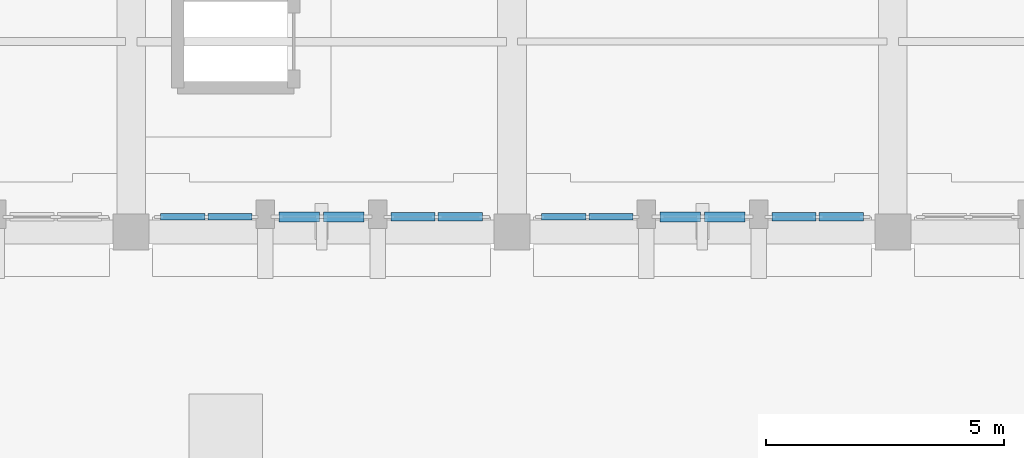
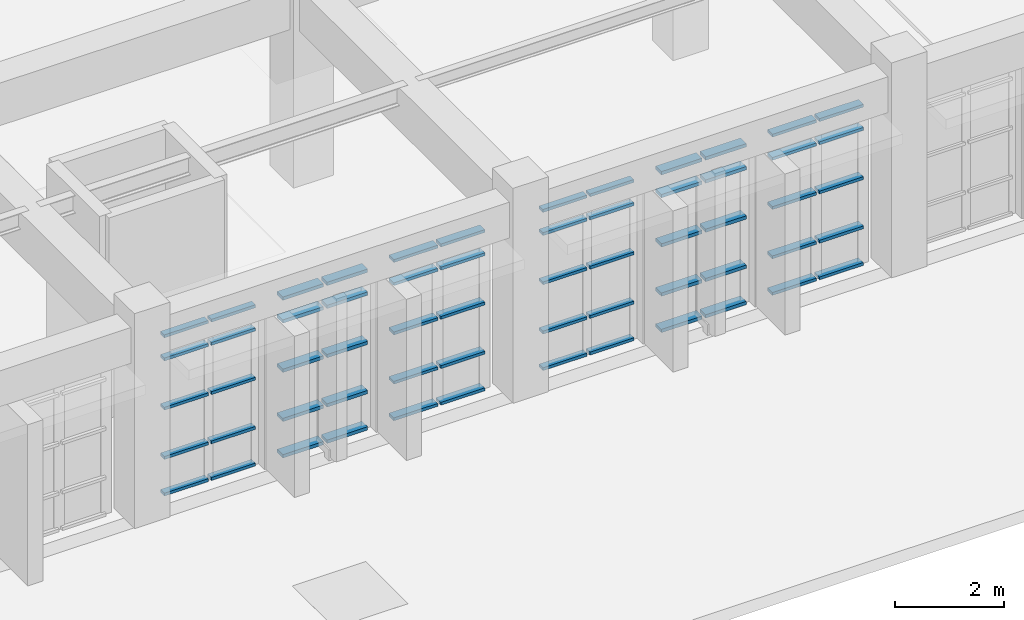
# One storey, part 48 of 155: 60 members, 6 elements without a shape of their own.
"""IFC4 building model written with IfcOpenShell, lengths in metres."""

from ifc_helpers import new_model, si_unit, direction, frame, origin, origin_2d, place, context, subcontext, project, spatial, rectangle, extrude, material, layer, layer_set, material_profile, profile_set, type_object, element, aggregate, save


model = new_model("IFC4")

# Units and contexts
model_context = context("Model", 3, precision=1e-05, world=origin(), true_north=direction((0.0, 1.0)))
body_context = subcontext(model_context, "Body", "Model", "MODEL_VIEW")
ifc_project = project(units=[si_unit("LENGTHUNIT", "METRE"), si_unit("AREAUNIT", "SQUARE_METRE"), si_unit("VOLUMEUNIT", "CUBIC_METRE"), si_unit("PLANEANGLEUNIT", "RADIAN"), si_unit("MASSUNIT", "GRAM", prefix="KILO")], contexts=[model_context])

# Site, building, storey
site_placement = place(None, origin())
site = spatial("IfcSite", under=ifc_project, at=site_placement, CompositionType="ELEMENT")
building_placement = place(site_placement, origin())
building = spatial("IfcBuilding", under=site, at=building_placement, Name="Tazarka Park Arena", CompositionType="ELEMENT")
storey_placement = place(building_placement, frame((0.0, 0.0, 5.39990234375)))
storey = spatial("IfcBuildingStorey", under=building, at=storey_placement, Name="L01", CompositionType="ELEMENT", Elevation=5.39990234375)

# Curtain wall, members
ifc_material_1 = material(Name="Aluminium and low-e glass", Category="aluminium")
ifc_layer_1 = layer(ifc_material_1, 0.179931640625, Name="Aluminium and low-e glass")
ifc_layer_set_1 = layer_set([ifc_layer_1], Name="Aluminium and low-e glass")
curtain_wall_type_1 = type_object("IfcCurtainWallType", Name="CW-18", PredefinedType="NOTDEFINED", material=ifc_layer_set_1)
curtain_wall_1_placement = place(storey_placement, origin())
curtain_wall_1 = element("IfcCurtainWall", 1, at=curtain_wall_1_placement, inside=storey, type_object=curtain_wall_type_1, Name="Curtain Wall CWA-L01-078", PredefinedType="NOTDEFINED")
ifc_material_2 = material(Name="Aluminium 6060-T66", Category="aluminium")
ifc_material_profile_1 = material_profile(ifc_material_2, rectangle(XDim=0.139892578125, YDim=0.06494140625, at=origin_2d()), Name="Aluminium 6060-T66")
ifc_profile_set_1 = profile_set([ifc_material_profile_1], Name="Aluminium 6060-T66")
member_type_1 = type_object("IfcMemberType", Name="CWT-01", PredefinedType="USERDEFINED", material=ifc_profile_set_1)
member_1_placement = place(storey_placement, frame((18.543212890625, 8.320068359375, 0.03271484375), z_axis=(-1.0, 0.0, 0.0), x_axis=(0.0, -1.0, 0.0)))
member_1 = element("IfcMember", 2, at=member_1_placement, type_object=member_type_1, Name="CW-18 transom 1.1", ObjectType="TRANSOM", PredefinedType="USERDEFINED", context=body_context, shape_type="SweptSolid", body=[
    extrude(rectangle(XDim=0.139892578125, YDim=0.06494140625, at=origin_2d()), origin(), (0.0, 0.0, 1.0), 0.928955078125),
])
member_2_placement = place(storey_placement, frame((18.543212890625, 8.320068359375, 0.85009765625), z_axis=(-1.0, 0.0, 0.0), x_axis=(0.0, -1.0, 0.0)))
member_2 = element("IfcMember", 3, at=member_2_placement, type_object=member_type_1, Name="CW-18 transom 1.2", ObjectType="TRANSOM", PredefinedType="USERDEFINED", context=body_context, shape_type="SweptSolid", body=[
    extrude(rectangle(XDim=0.139892578125, YDim=0.06494140625, at=origin_2d()), origin(), (0.0, 0.0, 1.0), 0.928955078125),
])
member_3_placement = place(storey_placement, frame((18.543212890625, 8.320068359375, 1.9501953125), z_axis=(-1.0, 0.0, 0.0), x_axis=(0.0, -1.0, 0.0)))
member_3 = element("IfcMember", 4, at=member_3_placement, type_object=member_type_1, Name="CW-18 transom 1.3", ObjectType="TRANSOM", PredefinedType="USERDEFINED", context=body_context, shape_type="SweptSolid", body=[
    extrude(rectangle(XDim=0.139892578125, YDim=0.06494140625, at=origin_2d()), origin(), (0.0, 0.0, 1.0), 0.928955078125),
])
member_4_placement = place(storey_placement, frame((18.543212890625, 8.320068359375, 3.050048828125), z_axis=(-1.0, 0.0, 0.0), x_axis=(0.0, -1.0, 0.0)))
member_4 = element("IfcMember", 5, at=member_4_placement, type_object=member_type_1, Name="CW-18 transom 1.4", ObjectType="TRANSOM", PredefinedType="USERDEFINED", context=body_context, shape_type="SweptSolid", body=[
    extrude(rectangle(XDim=0.139892578125, YDim=0.06494140625, at=origin_2d()), origin(), (0.0, 0.0, 1.0), 0.928955078125),
])
member_5_placement = place(storey_placement, frame((18.543212890625, 8.320068359375, 3.567626953125), z_axis=(-1.0, 0.0, 0.0), x_axis=(0.0, -1.0, 0.0)))
member_5 = element("IfcMember", 6, at=member_5_placement, type_object=member_type_1, Name="CW-18 transom 1.5", ObjectType="TRANSOM", PredefinedType="USERDEFINED", context=body_context, shape_type="SweptSolid", body=[
    extrude(rectangle(XDim=0.139892578125, YDim=0.06494140625, at=origin_2d()), origin(), (0.0, 0.0, 1.0), 0.928955078125),
])
member_6_placement = place(storey_placement, frame((17.549072265625, 8.320068359375, 0.03271484375), z_axis=(-1.0, 0.0, 0.0), x_axis=(0.0, -1.0, 0.0)))
member_6 = element("IfcMember", 7, at=member_6_placement, type_object=member_type_1, Name="CW-18 transom 2.1", ObjectType="TRANSOM", PredefinedType="USERDEFINED", context=body_context, shape_type="SweptSolid", body=[
    extrude(rectangle(XDim=0.139892578125, YDim=0.06494140625, at=origin_2d()), origin(), (0.0, 0.0, 1.0), 0.928955078125),
])
member_7_placement = place(storey_placement, frame((17.549072265625, 8.320068359375, 0.85009765625), z_axis=(-1.0, 0.0, 0.0), x_axis=(0.0, -1.0, 0.0)))
member_7 = element("IfcMember", 8, at=member_7_placement, type_object=member_type_1, Name="CW-18 transom 2.2", ObjectType="TRANSOM", PredefinedType="USERDEFINED", context=body_context, shape_type="SweptSolid", body=[
    extrude(rectangle(XDim=0.139892578125, YDim=0.06494140625, at=origin_2d()), origin(), (0.0, 0.0, 1.0), 0.928955078125),
])
member_8_placement = place(storey_placement, frame((17.549072265625, 8.320068359375, 1.9501953125), z_axis=(-1.0, 0.0, 0.0), x_axis=(0.0, -1.0, 0.0)))
member_8 = element("IfcMember", 9, at=member_8_placement, type_object=member_type_1, Name="CW-18 transom 2.3", ObjectType="TRANSOM", PredefinedType="USERDEFINED", context=body_context, shape_type="SweptSolid", body=[
    extrude(rectangle(XDim=0.139892578125, YDim=0.06494140625, at=origin_2d()), origin(), (0.0, 0.0, 1.0), 0.928955078125),
])
member_9_placement = place(storey_placement, frame((17.549072265625, 8.320068359375, 3.050048828125), z_axis=(-1.0, 0.0, 0.0), x_axis=(0.0, -1.0, 0.0)))
member_9 = element("IfcMember", 10, at=member_9_placement, type_object=member_type_1, Name="CW-18 transom 2.4", ObjectType="TRANSOM", PredefinedType="USERDEFINED", context=body_context, shape_type="SweptSolid", body=[
    extrude(rectangle(XDim=0.139892578125, YDim=0.06494140625, at=origin_2d()), origin(), (0.0, 0.0, 1.0), 0.928955078125),
])
member_10_placement = place(storey_placement, frame((17.549072265625, 8.320068359375, 3.567626953125), z_axis=(-1.0, 0.0, 0.0), x_axis=(0.0, -1.0, 0.0)))
member_10 = element("IfcMember", 11, at=member_10_placement, type_object=member_type_1, Name="CW-18 transom 2.5", ObjectType="TRANSOM", PredefinedType="USERDEFINED", context=body_context, shape_type="SweptSolid", body=[
    extrude(rectangle(XDim=0.139892578125, YDim=0.06494140625, at=origin_2d()), origin(), (0.0, 0.0, 1.0), 0.928955078125),
])
aggregate(curtain_wall_1, [member_1, member_2, member_3, member_4, member_5, member_6, member_7, member_8, member_9, member_10])

ifc_material_3 = material(Name="Aluminium and low-e glass", Category="aluminium")
ifc_layer_2 = layer(ifc_material_3, 0.179931640625, Name="Aluminium and low-e glass")
ifc_layer_set_2 = layer_set([ifc_layer_2], Name="Aluminium and low-e glass")
curtain_wall_type_2 = type_object("IfcCurtainWallType", Name="CW-21", PredefinedType="NOTDEFINED", material=ifc_layer_set_2)
curtain_wall_2_placement = place(storey_placement, origin())
curtain_wall_2 = element("IfcCurtainWall", 12, at=curtain_wall_2_placement, inside=storey, type_object=curtain_wall_type_2, Name="Curtain Wall CWA-L01-081", PredefinedType="NOTDEFINED")
member_11_placement = place(storey_placement, frame((26.543212890625, 8.320068359375, 0.03271484375), z_axis=(-1.0, 0.0, 0.0), x_axis=(0.0, -1.0, 0.0)))
member_11 = element("IfcMember", 13, at=member_11_placement, type_object=member_type_1, Name="CW-21 transom 1.1", ObjectType="TRANSOM", PredefinedType="USERDEFINED", context=body_context, shape_type="SweptSolid", body=[
    extrude(rectangle(XDim=0.139892578125, YDim=0.06494140625, at=origin_2d()), origin(), (0.0, 0.0, 1.0), 0.928955078125),
])
member_12_placement = place(storey_placement, frame((26.543212890625, 8.320068359375, 0.85009765625), z_axis=(-1.0, 0.0, 0.0), x_axis=(0.0, -1.0, 0.0)))
member_12 = element("IfcMember", 14, at=member_12_placement, type_object=member_type_1, Name="CW-21 transom 1.2", ObjectType="TRANSOM", PredefinedType="USERDEFINED", context=body_context, shape_type="SweptSolid", body=[
    extrude(rectangle(XDim=0.139892578125, YDim=0.06494140625, at=origin_2d()), origin(), (0.0, 0.0, 1.0), 0.928955078125),
])
member_13_placement = place(storey_placement, frame((26.543212890625, 8.320068359375, 1.9501953125), z_axis=(-1.0, 0.0, 0.0), x_axis=(0.0, -1.0, 0.0)))
member_13 = element("IfcMember", 15, at=member_13_placement, type_object=member_type_1, Name="CW-21 transom 1.3", ObjectType="TRANSOM", PredefinedType="USERDEFINED", context=body_context, shape_type="SweptSolid", body=[
    extrude(rectangle(XDim=0.139892578125, YDim=0.06494140625, at=origin_2d()), origin(), (0.0, 0.0, 1.0), 0.928955078125),
])
member_14_placement = place(storey_placement, frame((26.543212890625, 8.320068359375, 3.050048828125), z_axis=(-1.0, 0.0, 0.0), x_axis=(0.0, -1.0, 0.0)))
member_14 = element("IfcMember", 16, at=member_14_placement, type_object=member_type_1, Name="CW-21 transom 1.4", ObjectType="TRANSOM", PredefinedType="USERDEFINED", context=body_context, shape_type="SweptSolid", body=[
    extrude(rectangle(XDim=0.139892578125, YDim=0.06494140625, at=origin_2d()), origin(), (0.0, 0.0, 1.0), 0.928955078125),
])
member_15_placement = place(storey_placement, frame((26.543212890625, 8.320068359375, 3.567626953125), z_axis=(-1.0, 0.0, 0.0), x_axis=(0.0, -1.0, 0.0)))
member_15 = element("IfcMember", 17, at=member_15_placement, type_object=member_type_1, Name="CW-21 transom 1.5", ObjectType="TRANSOM", PredefinedType="USERDEFINED", context=body_context, shape_type="SweptSolid", body=[
    extrude(rectangle(XDim=0.139892578125, YDim=0.06494140625, at=origin_2d()), origin(), (0.0, 0.0, 1.0), 0.928955078125),
])
member_16_placement = place(storey_placement, frame((25.549072265625, 8.320068359375, 0.03271484375), z_axis=(-1.0, 0.0, 0.0), x_axis=(0.0, -1.0, 0.0)))
member_16 = element("IfcMember", 18, at=member_16_placement, type_object=member_type_1, Name="CW-21 transom 2.1", ObjectType="TRANSOM", PredefinedType="USERDEFINED", context=body_context, shape_type="SweptSolid", body=[
    extrude(rectangle(XDim=0.139892578125, YDim=0.06494140625, at=origin_2d()), origin(), (0.0, 0.0, 1.0), 0.928955078125),
])
member_17_placement = place(storey_placement, frame((25.549072265625, 8.320068359375, 0.85009765625), z_axis=(-1.0, 0.0, 0.0), x_axis=(0.0, -1.0, 0.0)))
member_17 = element("IfcMember", 19, at=member_17_placement, type_object=member_type_1, Name="CW-21 transom 2.2", ObjectType="TRANSOM", PredefinedType="USERDEFINED", context=body_context, shape_type="SweptSolid", body=[
    extrude(rectangle(XDim=0.139892578125, YDim=0.06494140625, at=origin_2d()), origin(), (0.0, 0.0, 1.0), 0.928955078125),
])
member_18_placement = place(storey_placement, frame((25.549072265625, 8.320068359375, 1.9501953125), z_axis=(-1.0, 0.0, 0.0), x_axis=(0.0, -1.0, 0.0)))
member_18 = element("IfcMember", 20, at=member_18_placement, type_object=member_type_1, Name="CW-21 transom 2.3", ObjectType="TRANSOM", PredefinedType="USERDEFINED", context=body_context, shape_type="SweptSolid", body=[
    extrude(rectangle(XDim=0.139892578125, YDim=0.06494140625, at=origin_2d()), origin(), (0.0, 0.0, 1.0), 0.928955078125),
])
member_19_placement = place(storey_placement, frame((25.549072265625, 8.320068359375, 3.050048828125), z_axis=(-1.0, 0.0, 0.0), x_axis=(0.0, -1.0, 0.0)))
member_19 = element("IfcMember", 21, at=member_19_placement, type_object=member_type_1, Name="CW-21 transom 2.4", ObjectType="TRANSOM", PredefinedType="USERDEFINED", context=body_context, shape_type="SweptSolid", body=[
    extrude(rectangle(XDim=0.139892578125, YDim=0.06494140625, at=origin_2d()), origin(), (0.0, 0.0, 1.0), 0.928955078125),
])
member_20_placement = place(storey_placement, frame((25.549072265625, 8.320068359375, 3.567626953125), z_axis=(-1.0, 0.0, 0.0), x_axis=(0.0, -1.0, 0.0)))
member_20 = element("IfcMember", 22, at=member_20_placement, type_object=member_type_1, Name="CW-21 transom 2.5", ObjectType="TRANSOM", PredefinedType="USERDEFINED", context=body_context, shape_type="SweptSolid", body=[
    extrude(rectangle(XDim=0.139892578125, YDim=0.06494140625, at=origin_2d()), origin(), (0.0, 0.0, 1.0), 0.928955078125),
])
aggregate(curtain_wall_2, [member_11, member_12, member_13, member_14, member_15, member_16, member_17, member_18, member_19, member_20])

ifc_material_4 = material(Name="Aluminium and low-e glass", Category="aluminium")
ifc_layer_3 = layer(ifc_material_4, 0.179931640625, Name="Aluminium and low-e glass")
ifc_layer_set_3 = layer_set([ifc_layer_3], Name="Aluminium and low-e glass")
curtain_wall_type_3 = type_object("IfcCurtainWallType", Name="CW-16", PredefinedType="NOTDEFINED", material=ifc_layer_set_3)
curtain_wall_3_placement = place(storey_placement, origin())
curtain_wall_3 = element("IfcCurtainWall", 23, at=curtain_wall_3_placement, inside=storey, type_object=curtain_wall_type_3, Name="Curtain Wall CWA-L01-076", PredefinedType="NOTDEFINED")
ifc_material_5 = material(Name="Aluminium 6060-T66", Category="aluminium")
ifc_material_profile_2 = material_profile(ifc_material_5, rectangle(XDim=0.179931640625, YDim=0.06494140625, at=origin_2d()), Name="Aluminium 6060-T66")
ifc_profile_set_2 = profile_set([ifc_material_profile_2], Name="Aluminium 6060-T66")
member_type_2 = type_object("IfcMemberType", Name="CWT-02", PredefinedType="USERDEFINED", material=ifc_profile_set_2)
member_21_placement = place(storey_placement, frame((23.3798828125, 8.320068359375, 0.03271484375), z_axis=(-1.0, 0.0, 0.0), x_axis=(0.0, -1.0, 0.0)))
member_21 = element("IfcMember", 24, at=member_21_placement, type_object=member_type_2, Name="CW-16 transom 1.1", ObjectType="TRANSOM", PredefinedType="USERDEFINED", context=body_context, shape_type="SweptSolid", body=[
    extrude(rectangle(XDim=0.179931640625, YDim=0.06494140625, at=origin_2d()), origin(), (0.0, 0.0, 1.0), 0.928955078125),
])
member_22_placement = place(storey_placement, frame((23.3798828125, 8.320068359375, 0.85009765625), z_axis=(-1.0, 0.0, 0.0), x_axis=(0.0, -1.0, 0.0)))
member_22 = element("IfcMember", 25, at=member_22_placement, type_object=member_type_2, Name="CW-16 transom 1.2", ObjectType="TRANSOM", PredefinedType="USERDEFINED", context=body_context, shape_type="SweptSolid", body=[
    extrude(rectangle(XDim=0.179931640625, YDim=0.06494140625, at=origin_2d()), origin(), (0.0, 0.0, 1.0), 0.928955078125),
])
member_23_placement = place(storey_placement, frame((23.3798828125, 8.320068359375, 1.9501953125), z_axis=(-1.0, 0.0, 0.0), x_axis=(0.0, -1.0, 0.0)))
member_23 = element("IfcMember", 26, at=member_23_placement, type_object=member_type_2, Name="CW-16 transom 1.3", ObjectType="TRANSOM", PredefinedType="USERDEFINED", context=body_context, shape_type="SweptSolid", body=[
    extrude(rectangle(XDim=0.179931640625, YDim=0.06494140625, at=origin_2d()), origin(), (0.0, 0.0, 1.0), 0.928955078125),
])
member_24_placement = place(storey_placement, frame((23.3798828125, 8.320068359375, 3.050048828125), z_axis=(-1.0, 0.0, 0.0), x_axis=(0.0, -1.0, 0.0)))
member_24 = element("IfcMember", 27, at=member_24_placement, type_object=member_type_2, Name="CW-16 transom 1.4", ObjectType="TRANSOM", PredefinedType="USERDEFINED", context=body_context, shape_type="SweptSolid", body=[
    extrude(rectangle(XDim=0.179931640625, YDim=0.06494140625, at=origin_2d()), origin(), (0.0, 0.0, 1.0), 0.928955078125),
])
member_25_placement = place(storey_placement, frame((23.3798828125, 8.320068359375, 3.567626953125), z_axis=(-1.0, 0.0, 0.0), x_axis=(0.0, -1.0, 0.0)))
member_25 = element("IfcMember", 28, at=member_25_placement, type_object=member_type_2, Name="CW-16 transom 1.5", ObjectType="TRANSOM", PredefinedType="USERDEFINED", context=body_context, shape_type="SweptSolid", body=[
    extrude(rectangle(XDim=0.179931640625, YDim=0.06494140625, at=origin_2d()), origin(), (0.0, 0.0, 1.0), 0.928955078125),
])
member_26_placement = place(storey_placement, frame((22.3857421875, 8.320068359375, 0.03271484375), z_axis=(-1.0, 0.0, 0.0), x_axis=(0.0, -1.0, 0.0)))
member_26 = element("IfcMember", 29, at=member_26_placement, type_object=member_type_2, Name="CW-16 transom 2.1", ObjectType="TRANSOM", PredefinedType="USERDEFINED", context=body_context, shape_type="SweptSolid", body=[
    extrude(rectangle(XDim=0.179931640625, YDim=0.06494140625, at=origin_2d()), origin(), (0.0, 0.0, 1.0), 0.928955078125),
])
member_27_placement = place(storey_placement, frame((22.3857421875, 8.320068359375, 0.85009765625), z_axis=(-1.0, 0.0, 0.0), x_axis=(0.0, -1.0, 0.0)))
member_27 = element("IfcMember", 30, at=member_27_placement, type_object=member_type_2, Name="CW-16 transom 2.2", ObjectType="TRANSOM", PredefinedType="USERDEFINED", context=body_context, shape_type="SweptSolid", body=[
    extrude(rectangle(XDim=0.179931640625, YDim=0.06494140625, at=origin_2d()), origin(), (0.0, 0.0, 1.0), 0.928955078125),
])
member_28_placement = place(storey_placement, frame((22.3857421875, 8.320068359375, 1.9501953125), z_axis=(-1.0, 0.0, 0.0), x_axis=(0.0, -1.0, 0.0)))
member_28 = element("IfcMember", 31, at=member_28_placement, type_object=member_type_2, Name="CW-16 transom 2.3", ObjectType="TRANSOM", PredefinedType="USERDEFINED", context=body_context, shape_type="SweptSolid", body=[
    extrude(rectangle(XDim=0.179931640625, YDim=0.06494140625, at=origin_2d()), origin(), (0.0, 0.0, 1.0), 0.928955078125),
])
member_29_placement = place(storey_placement, frame((22.3857421875, 8.320068359375, 3.050048828125), z_axis=(-1.0, 0.0, 0.0), x_axis=(0.0, -1.0, 0.0)))
member_29 = element("IfcMember", 32, at=member_29_placement, type_object=member_type_2, Name="CW-16 transom 2.4", ObjectType="TRANSOM", PredefinedType="USERDEFINED", context=body_context, shape_type="SweptSolid", body=[
    extrude(rectangle(XDim=0.179931640625, YDim=0.06494140625, at=origin_2d()), origin(), (0.0, 0.0, 1.0), 0.928955078125),
])
member_30_placement = place(storey_placement, frame((22.3857421875, 8.320068359375, 3.567626953125), z_axis=(-1.0, 0.0, 0.0), x_axis=(0.0, -1.0, 0.0)))
member_30 = element("IfcMember", 33, at=member_30_placement, type_object=member_type_2, Name="CW-16 transom 2.5", ObjectType="TRANSOM", PredefinedType="USERDEFINED", context=body_context, shape_type="SweptSolid", body=[
    extrude(rectangle(XDim=0.179931640625, YDim=0.06494140625, at=origin_2d()), origin(), (0.0, 0.0, 1.0), 0.928955078125),
])
aggregate(curtain_wall_3, [member_21, member_22, member_23, member_24, member_25, member_26, member_27, member_28, member_29, member_30])

ifc_material_6 = material(Name="Aluminium and low-e glass", Category="aluminium")
ifc_layer_4 = layer(ifc_material_6, 0.179931640625, Name="Aluminium and low-e glass")
ifc_layer_set_4 = layer_set([ifc_layer_4], Name="Aluminium and low-e glass")
curtain_wall_type_4 = type_object("IfcCurtainWallType", Name="CW-19", PredefinedType="NOTDEFINED", material=ifc_layer_set_4)
curtain_wall_4_placement = place(storey_placement, origin())
curtain_wall_4 = element("IfcCurtainWall", 34, at=curtain_wall_4_placement, inside=storey, type_object=curtain_wall_type_4, Name="Curtain Wall CWA-L01-079", PredefinedType="NOTDEFINED")
member_31_placement = place(storey_placement, frame((31.3798828125, 8.320068359375, 0.03271484375), z_axis=(-1.0, 0.0, 0.0), x_axis=(0.0, -1.0, 0.0)))
member_31 = element("IfcMember", 35, at=member_31_placement, type_object=member_type_2, Name="CW-19 transom 1.1", ObjectType="TRANSOM", PredefinedType="USERDEFINED", context=body_context, shape_type="SweptSolid", body=[
    extrude(rectangle(XDim=0.179931640625, YDim=0.06494140625, at=origin_2d()), origin(), (0.0, 0.0, 1.0), 0.928955078125),
])
member_32_placement = place(storey_placement, frame((31.3798828125, 8.320068359375, 0.85009765625), z_axis=(-1.0, 0.0, 0.0), x_axis=(0.0, -1.0, 0.0)))
member_32 = element("IfcMember", 36, at=member_32_placement, type_object=member_type_2, Name="CW-19 transom 1.2", ObjectType="TRANSOM", PredefinedType="USERDEFINED", context=body_context, shape_type="SweptSolid", body=[
    extrude(rectangle(XDim=0.179931640625, YDim=0.06494140625, at=origin_2d()), origin(), (0.0, 0.0, 1.0), 0.928955078125),
])
member_33_placement = place(storey_placement, frame((31.3798828125, 8.320068359375, 1.9501953125), z_axis=(-1.0, 0.0, 0.0), x_axis=(0.0, -1.0, 0.0)))
member_33 = element("IfcMember", 37, at=member_33_placement, type_object=member_type_2, Name="CW-19 transom 1.3", ObjectType="TRANSOM", PredefinedType="USERDEFINED", context=body_context, shape_type="SweptSolid", body=[
    extrude(rectangle(XDim=0.179931640625, YDim=0.06494140625, at=origin_2d()), origin(), (0.0, 0.0, 1.0), 0.928955078125),
])
member_34_placement = place(storey_placement, frame((31.3798828125, 8.320068359375, 3.050048828125), z_axis=(-1.0, 0.0, 0.0), x_axis=(0.0, -1.0, 0.0)))
member_34 = element("IfcMember", 38, at=member_34_placement, type_object=member_type_2, Name="CW-19 transom 1.4", ObjectType="TRANSOM", PredefinedType="USERDEFINED", context=body_context, shape_type="SweptSolid", body=[
    extrude(rectangle(XDim=0.179931640625, YDim=0.06494140625, at=origin_2d()), origin(), (0.0, 0.0, 1.0), 0.928955078125),
])
member_35_placement = place(storey_placement, frame((31.3798828125, 8.320068359375, 3.567626953125), z_axis=(-1.0, 0.0, 0.0), x_axis=(0.0, -1.0, 0.0)))
member_35 = element("IfcMember", 39, at=member_35_placement, type_object=member_type_2, Name="CW-19 transom 1.5", ObjectType="TRANSOM", PredefinedType="USERDEFINED", context=body_context, shape_type="SweptSolid", body=[
    extrude(rectangle(XDim=0.179931640625, YDim=0.06494140625, at=origin_2d()), origin(), (0.0, 0.0, 1.0), 0.928955078125),
])
member_36_placement = place(storey_placement, frame((30.3857421875, 8.320068359375, 0.03271484375), z_axis=(-1.0, 0.0, 0.0), x_axis=(0.0, -1.0, 0.0)))
member_36 = element("IfcMember", 40, at=member_36_placement, type_object=member_type_2, Name="CW-19 transom 2.1", ObjectType="TRANSOM", PredefinedType="USERDEFINED", context=body_context, shape_type="SweptSolid", body=[
    extrude(rectangle(XDim=0.179931640625, YDim=0.06494140625, at=origin_2d()), origin(), (0.0, 0.0, 1.0), 0.928955078125),
])
member_37_placement = place(storey_placement, frame((30.3857421875, 8.320068359375, 0.85009765625), z_axis=(-1.0, 0.0, 0.0), x_axis=(0.0, -1.0, 0.0)))
member_37 = element("IfcMember", 41, at=member_37_placement, type_object=member_type_2, Name="CW-19 transom 2.2", ObjectType="TRANSOM", PredefinedType="USERDEFINED", context=body_context, shape_type="SweptSolid", body=[
    extrude(rectangle(XDim=0.179931640625, YDim=0.06494140625, at=origin_2d()), origin(), (0.0, 0.0, 1.0), 0.928955078125),
])
member_38_placement = place(storey_placement, frame((30.3857421875, 8.320068359375, 1.9501953125), z_axis=(-1.0, 0.0, 0.0), x_axis=(0.0, -1.0, 0.0)))
member_38 = element("IfcMember", 42, at=member_38_placement, type_object=member_type_2, Name="CW-19 transom 2.3", ObjectType="TRANSOM", PredefinedType="USERDEFINED", context=body_context, shape_type="SweptSolid", body=[
    extrude(rectangle(XDim=0.179931640625, YDim=0.06494140625, at=origin_2d()), origin(), (0.0, 0.0, 1.0), 0.928955078125),
])
member_39_placement = place(storey_placement, frame((30.3857421875, 8.320068359375, 3.050048828125), z_axis=(-1.0, 0.0, 0.0), x_axis=(0.0, -1.0, 0.0)))
member_39 = element("IfcMember", 43, at=member_39_placement, type_object=member_type_2, Name="CW-19 transom 2.4", ObjectType="TRANSOM", PredefinedType="USERDEFINED", context=body_context, shape_type="SweptSolid", body=[
    extrude(rectangle(XDim=0.179931640625, YDim=0.06494140625, at=origin_2d()), origin(), (0.0, 0.0, 1.0), 0.928955078125),
])
member_40_placement = place(storey_placement, frame((30.3857421875, 8.320068359375, 3.567626953125), z_axis=(-1.0, 0.0, 0.0), x_axis=(0.0, -1.0, 0.0)))
member_40 = element("IfcMember", 44, at=member_40_placement, type_object=member_type_2, Name="CW-19 transom 2.5", ObjectType="TRANSOM", PredefinedType="USERDEFINED", context=body_context, shape_type="SweptSolid", body=[
    extrude(rectangle(XDim=0.179931640625, YDim=0.06494140625, at=origin_2d()), origin(), (0.0, 0.0, 1.0), 0.928955078125),
])
aggregate(curtain_wall_4, [member_31, member_32, member_33, member_34, member_35, member_36, member_37, member_38, member_39, member_40])

ifc_material_7 = material(Name="Aluminium and low-e glass", Category="aluminium")
ifc_layer_5 = layer(ifc_material_7, 0.179931640625, Name="Aluminium and low-e glass")
ifc_layer_set_5 = layer_set([ifc_layer_5], Name="Aluminium and low-e glass")
curtain_wall_type_5 = type_object("IfcCurtainWallType", Name="CW-17", PredefinedType="NOTDEFINED", material=ifc_layer_set_5)
curtain_wall_5_placement = place(storey_placement, origin())
curtain_wall_5 = element("IfcCurtainWall", 45, at=curtain_wall_5_placement, inside=storey, type_object=curtain_wall_type_5, Name="Curtain Wall CWA-L01-077", PredefinedType="NOTDEFINED")
ifc_material_8 = material(Name="Aluminium 6060-T66", Category="aluminium")
ifc_material_profile_3 = material_profile(ifc_material_8, rectangle(XDim=0.2099609375, YDim=0.074951171875, at=origin_2d()), Name="Aluminium 6060-T66")
ifc_profile_set_3 = profile_set([ifc_material_profile_3], Name="Aluminium 6060-T66")
member_type_3 = type_object("IfcMemberType", Name="CWT-03", PredefinedType="USERDEFINED", material=ifc_profile_set_3)
member_41_placement = place(storey_placement, frame((20.896728515625, 8.320068359375, 0.03759765625), z_axis=(-1.0, 0.0, 0.0), x_axis=(0.0, -1.0, 0.0)))
member_41 = element("IfcMember", 46, at=member_41_placement, type_object=member_type_3, Name="CW-17 transom 1.1", ObjectType="TRANSOM", PredefinedType="USERDEFINED", context=body_context, shape_type="SweptSolid", body=[
    extrude(rectangle(XDim=0.2099609375, YDim=0.074951171875, at=origin_2d()), origin(), (0.0, 0.0, 1.0), 0.859130859375),
])
member_42_placement = place(storey_placement, frame((20.896728515625, 8.320068359375, 0.85009765625), z_axis=(-1.0, 0.0, 0.0), x_axis=(0.0, -1.0, 0.0)))
member_42 = element("IfcMember", 47, at=member_42_placement, type_object=member_type_3, Name="CW-17 transom 1.2", ObjectType="TRANSOM", PredefinedType="USERDEFINED", context=body_context, shape_type="SweptSolid", body=[
    extrude(rectangle(XDim=0.2099609375, YDim=0.074951171875, at=origin_2d()), origin(), (0.0, 0.0, 1.0), 0.859130859375),
])
member_43_placement = place(storey_placement, frame((20.896728515625, 8.320068359375, 1.9501953125), z_axis=(-1.0, 0.0, 0.0), x_axis=(0.0, -1.0, 0.0)))
member_43 = element("IfcMember", 48, at=member_43_placement, type_object=member_type_3, Name="CW-17 transom 1.3", ObjectType="TRANSOM", PredefinedType="USERDEFINED", context=body_context, shape_type="SweptSolid", body=[
    extrude(rectangle(XDim=0.2099609375, YDim=0.074951171875, at=origin_2d()), origin(), (0.0, 0.0, 1.0), 0.859130859375),
])
member_44_placement = place(storey_placement, frame((20.896728515625, 8.320068359375, 3.050048828125), z_axis=(-1.0, 0.0, 0.0), x_axis=(0.0, -1.0, 0.0)))
member_44 = element("IfcMember", 49, at=member_44_placement, type_object=member_type_3, Name="CW-17 transom 1.4", ObjectType="TRANSOM", PredefinedType="USERDEFINED", context=body_context, shape_type="SweptSolid", body=[
    extrude(rectangle(XDim=0.2099609375, YDim=0.074951171875, at=origin_2d()), origin(), (0.0, 0.0, 1.0), 0.859130859375),
])
member_45_placement = place(storey_placement, frame((20.896728515625, 8.320068359375, 3.5625), z_axis=(-1.0, 0.0, 0.0), x_axis=(0.0, -1.0, 0.0)))
member_45 = element("IfcMember", 50, at=member_45_placement, type_object=member_type_3, Name="CW-17 transom 1.5", ObjectType="TRANSOM", PredefinedType="USERDEFINED", context=body_context, shape_type="SweptSolid", body=[
    extrude(rectangle(XDim=0.2099609375, YDim=0.074951171875, at=origin_2d()), origin(), (0.0, 0.0, 1.0), 0.859130859375),
])
member_46_placement = place(storey_placement, frame((19.96240234375, 8.320068359375, 0.03759765625), z_axis=(-1.0, 0.0, 0.0), x_axis=(0.0, -1.0, 0.0)))
member_46 = element("IfcMember", 51, at=member_46_placement, type_object=member_type_3, Name="CW-17 transom 2.1", ObjectType="TRANSOM", PredefinedType="USERDEFINED", context=body_context, shape_type="SweptSolid", body=[
    extrude(rectangle(XDim=0.2099609375, YDim=0.074951171875, at=origin_2d()), origin(), (0.0, 0.0, 1.0), 0.859130859375),
])
member_47_placement = place(storey_placement, frame((19.96240234375, 8.320068359375, 0.85009765625), z_axis=(-1.0, 0.0, 0.0), x_axis=(0.0, -1.0, 0.0)))
member_47 = element("IfcMember", 52, at=member_47_placement, type_object=member_type_3, Name="CW-17 transom 2.2", ObjectType="TRANSOM", PredefinedType="USERDEFINED", context=body_context, shape_type="SweptSolid", body=[
    extrude(rectangle(XDim=0.2099609375, YDim=0.074951171875, at=origin_2d()), origin(), (0.0, 0.0, 1.0), 0.859130859375),
])
member_48_placement = place(storey_placement, frame((19.96240234375, 8.320068359375, 1.9501953125), z_axis=(-1.0, 0.0, 0.0), x_axis=(0.0, -1.0, 0.0)))
member_48 = element("IfcMember", 53, at=member_48_placement, type_object=member_type_3, Name="CW-17 transom 2.3", ObjectType="TRANSOM", PredefinedType="USERDEFINED", context=body_context, shape_type="SweptSolid", body=[
    extrude(rectangle(XDim=0.2099609375, YDim=0.074951171875, at=origin_2d()), origin(), (0.0, 0.0, 1.0), 0.859130859375),
])
member_49_placement = place(storey_placement, frame((19.96240234375, 8.320068359375, 3.050048828125), z_axis=(-1.0, 0.0, 0.0), x_axis=(0.0, -1.0, 0.0)))
member_49 = element("IfcMember", 54, at=member_49_placement, type_object=member_type_3, Name="CW-17 transom 2.4", ObjectType="TRANSOM", PredefinedType="USERDEFINED", context=body_context, shape_type="SweptSolid", body=[
    extrude(rectangle(XDim=0.2099609375, YDim=0.074951171875, at=origin_2d()), origin(), (0.0, 0.0, 1.0), 0.859130859375),
])
member_50_placement = place(storey_placement, frame((19.96240234375, 8.320068359375, 3.5625), z_axis=(-1.0, 0.0, 0.0), x_axis=(0.0, -1.0, 0.0)))
member_50 = element("IfcMember", 55, at=member_50_placement, type_object=member_type_3, Name="CW-17 transom 2.5", ObjectType="TRANSOM", PredefinedType="USERDEFINED", context=body_context, shape_type="SweptSolid", body=[
    extrude(rectangle(XDim=0.2099609375, YDim=0.074951171875, at=origin_2d()), origin(), (0.0, 0.0, 1.0), 0.859130859375),
])
aggregate(curtain_wall_5, [member_41, member_42, member_43, member_44, member_45, member_46, member_47, member_48, member_49, member_50])

ifc_material_9 = material(Name="Aluminium and low-e glass", Category="aluminium")
ifc_layer_6 = layer(ifc_material_9, 0.179931640625, Name="Aluminium and low-e glass")
ifc_layer_set_6 = layer_set([ifc_layer_6], Name="Aluminium and low-e glass")
curtain_wall_type_6 = type_object("IfcCurtainWallType", Name="CW-20", PredefinedType="NOTDEFINED", material=ifc_layer_set_6)
curtain_wall_6_placement = place(storey_placement, origin())
curtain_wall_6 = element("IfcCurtainWall", 56, at=curtain_wall_6_placement, inside=storey, type_object=curtain_wall_type_6, Name="Curtain Wall CWA-L01-080", PredefinedType="NOTDEFINED")
member_51_placement = place(storey_placement, frame((28.896728515625, 8.320068359375, 0.03759765625), z_axis=(-1.0, 0.0, 0.0), x_axis=(0.0, -1.0, 0.0)))
member_51 = element("IfcMember", 57, at=member_51_placement, type_object=member_type_3, Name="CW-20 transom 1.1", ObjectType="TRANSOM", PredefinedType="USERDEFINED", context=body_context, shape_type="SweptSolid", body=[
    extrude(rectangle(XDim=0.2099609375, YDim=0.074951171875, at=origin_2d()), origin(), (0.0, 0.0, 1.0), 0.859130859375),
])
member_52_placement = place(storey_placement, frame((28.896728515625, 8.320068359375, 0.85009765625), z_axis=(-1.0, 0.0, 0.0), x_axis=(0.0, -1.0, 0.0)))
member_52 = element("IfcMember", 58, at=member_52_placement, type_object=member_type_3, Name="CW-20 transom 1.2", ObjectType="TRANSOM", PredefinedType="USERDEFINED", context=body_context, shape_type="SweptSolid", body=[
    extrude(rectangle(XDim=0.2099609375, YDim=0.074951171875, at=origin_2d()), origin(), (0.0, 0.0, 1.0), 0.859130859375),
])
member_53_placement = place(storey_placement, frame((28.896728515625, 8.320068359375, 1.9501953125), z_axis=(-1.0, 0.0, 0.0), x_axis=(0.0, -1.0, 0.0)))
member_53 = element("IfcMember", 59, at=member_53_placement, type_object=member_type_3, Name="CW-20 transom 1.3", ObjectType="TRANSOM", PredefinedType="USERDEFINED", context=body_context, shape_type="SweptSolid", body=[
    extrude(rectangle(XDim=0.2099609375, YDim=0.074951171875, at=origin_2d()), origin(), (0.0, 0.0, 1.0), 0.859130859375),
])
member_54_placement = place(storey_placement, frame((28.896728515625, 8.320068359375, 3.050048828125), z_axis=(-1.0, 0.0, 0.0), x_axis=(0.0, -1.0, 0.0)))
member_54 = element("IfcMember", 60, at=member_54_placement, type_object=member_type_3, Name="CW-20 transom 1.4", ObjectType="TRANSOM", PredefinedType="USERDEFINED", context=body_context, shape_type="SweptSolid", body=[
    extrude(rectangle(XDim=0.2099609375, YDim=0.074951171875, at=origin_2d()), origin(), (0.0, 0.0, 1.0), 0.859130859375),
])
member_55_placement = place(storey_placement, frame((28.896728515625, 8.320068359375, 3.5625), z_axis=(-1.0, 0.0, 0.0), x_axis=(0.0, -1.0, 0.0)))
member_55 = element("IfcMember", 61, at=member_55_placement, type_object=member_type_3, Name="CW-20 transom 1.5", ObjectType="TRANSOM", PredefinedType="USERDEFINED", context=body_context, shape_type="SweptSolid", body=[
    extrude(rectangle(XDim=0.2099609375, YDim=0.074951171875, at=origin_2d()), origin(), (0.0, 0.0, 1.0), 0.859130859375),
])
member_56_placement = place(storey_placement, frame((27.96240234375, 8.320068359375, 0.03759765625), z_axis=(-1.0, 0.0, 0.0), x_axis=(0.0, -1.0, 0.0)))
member_56 = element("IfcMember", 62, at=member_56_placement, type_object=member_type_3, Name="CW-20 transom 2.1", ObjectType="TRANSOM", PredefinedType="USERDEFINED", context=body_context, shape_type="SweptSolid", body=[
    extrude(rectangle(XDim=0.2099609375, YDim=0.074951171875, at=origin_2d()), origin(), (0.0, 0.0, 1.0), 0.859130859375),
])
member_57_placement = place(storey_placement, frame((27.96240234375, 8.320068359375, 0.85009765625), z_axis=(-1.0, 0.0, 0.0), x_axis=(0.0, -1.0, 0.0)))
member_57 = element("IfcMember", 63, at=member_57_placement, type_object=member_type_3, Name="CW-20 transom 2.2", ObjectType="TRANSOM", PredefinedType="USERDEFINED", context=body_context, shape_type="SweptSolid", body=[
    extrude(rectangle(XDim=0.2099609375, YDim=0.074951171875, at=origin_2d()), origin(), (0.0, 0.0, 1.0), 0.859130859375),
])
member_58_placement = place(storey_placement, frame((27.96240234375, 8.320068359375, 1.9501953125), z_axis=(-1.0, 0.0, 0.0), x_axis=(0.0, -1.0, 0.0)))
member_58 = element("IfcMember", 64, at=member_58_placement, type_object=member_type_3, Name="CW-20 transom 2.3", ObjectType="TRANSOM", PredefinedType="USERDEFINED", context=body_context, shape_type="SweptSolid", body=[
    extrude(rectangle(XDim=0.2099609375, YDim=0.074951171875, at=origin_2d()), origin(), (0.0, 0.0, 1.0), 0.859130859375),
])
member_59_placement = place(storey_placement, frame((27.96240234375, 8.320068359375, 3.050048828125), z_axis=(-1.0, 0.0, 0.0), x_axis=(0.0, -1.0, 0.0)))
member_59 = element("IfcMember", 65, at=member_59_placement, type_object=member_type_3, Name="CW-20 transom 2.4", ObjectType="TRANSOM", PredefinedType="USERDEFINED", context=body_context, shape_type="SweptSolid", body=[
    extrude(rectangle(XDim=0.2099609375, YDim=0.074951171875, at=origin_2d()), origin(), (0.0, 0.0, 1.0), 0.859130859375),
])
member_60_placement = place(storey_placement, frame((27.96240234375, 8.320068359375, 3.5625), z_axis=(-1.0, 0.0, 0.0), x_axis=(0.0, -1.0, 0.0)))
member_60 = element("IfcMember", 66, at=member_60_placement, type_object=member_type_3, Name="CW-20 transom 2.5", ObjectType="TRANSOM", PredefinedType="USERDEFINED", context=body_context, shape_type="SweptSolid", body=[
    extrude(rectangle(XDim=0.2099609375, YDim=0.074951171875, at=origin_2d()), origin(), (0.0, 0.0, 1.0), 0.859130859375),
])
aggregate(curtain_wall_6, [member_51, member_52, member_53, member_54, member_55, member_56, member_57, member_58, member_59, member_60])

save(model, "model.ifc")
